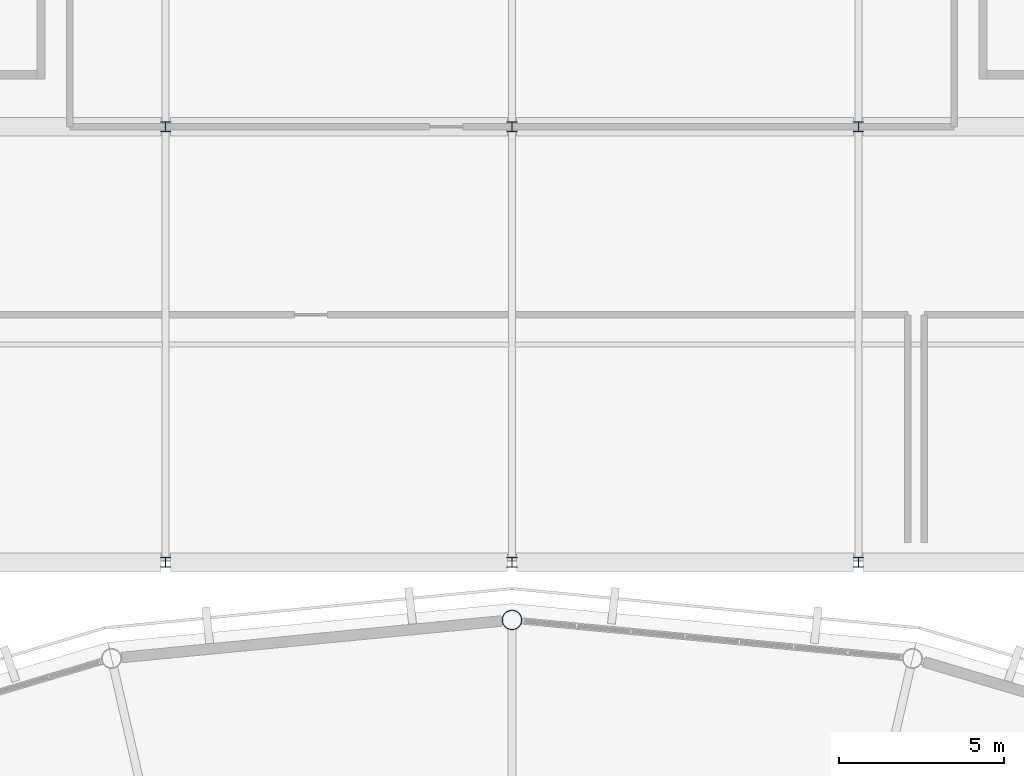
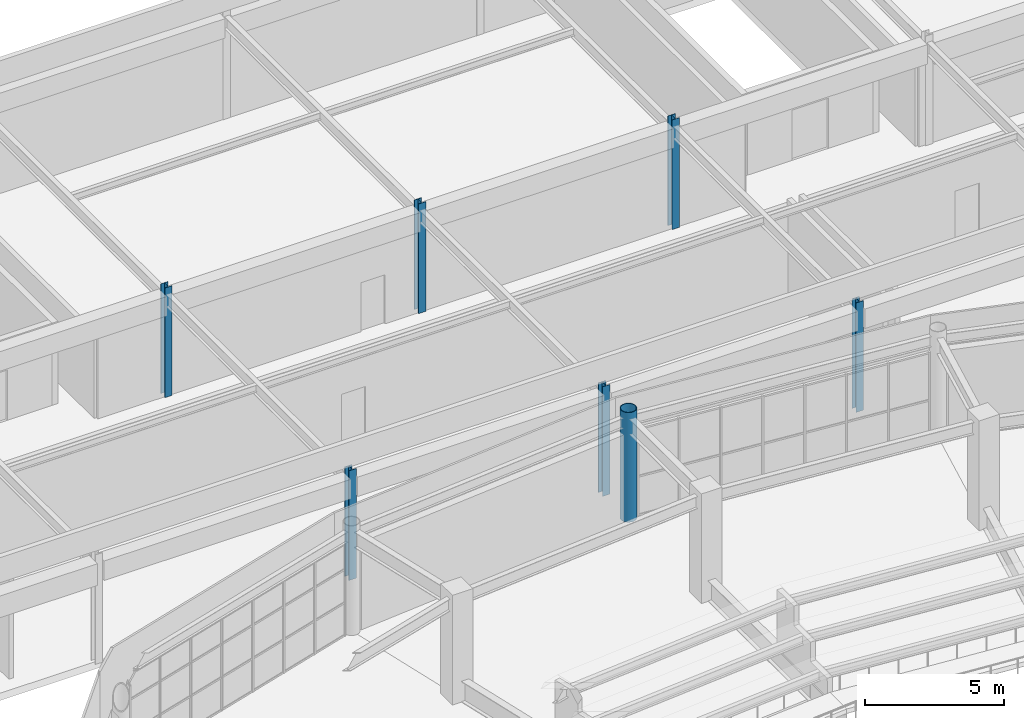
# One storey, part 11 of 122: 7 columns.
"""IFC4 building model written with IfcOpenShell, lengths in metres."""

from ifc_helpers import new_model, si_unit, direction, frame, origin, origin_2d, place, context, subcontext, project, spatial, hollow_circle, i_section, extrude, material, material_profile, profile_set, type_object, element, save


model = new_model("IFC4")

# Units and contexts
model_context = context("Model", 3, precision=1e-05, world=origin(), true_north=direction((0.0, 1.0)))
body_context = subcontext(model_context, "Body", "Model", "MODEL_VIEW")
ifc_project = project(units=[si_unit("LENGTHUNIT", "METRE"), si_unit("AREAUNIT", "SQUARE_METRE"), si_unit("VOLUMEUNIT", "CUBIC_METRE"), si_unit("PLANEANGLEUNIT", "RADIAN"), si_unit("MASSUNIT", "GRAM", prefix="KILO")], contexts=[model_context])

# Site, building, storey
site_placement = place(None, origin())
site = spatial("IfcSite", under=ifc_project, at=site_placement, CompositionType="ELEMENT")
building_placement = place(site_placement, origin())
building = spatial("IfcBuilding", under=site, at=building_placement, Name="Cuetzalor Civic Arena", CompositionType="ELEMENT")
storey_placement = place(building_placement, frame((0.0, 0.0, 16.199951171875)))
storey = spatial("IfcBuildingStorey", under=building, at=storey_placement, Name="L03", CompositionType="ELEMENT", Elevation=16.199951171875)

# Columns
ifc_material_1 = material(Name="Steel S355", Category="steel")
ifc_material_profile_1 = material_profile(ifc_material_1, hollow_circle(Radius=0.304931640625, WallThickness=0.02490234375, at=origin_2d()), Name="CHS 610x25")
ifc_profile_set_1 = profile_set([ifc_material_profile_1], Name="Steel S355")
column_type_1 = type_object("IfcColumnType", Name="SteelDomePylon_CHS610", PredefinedType="COLUMN", material=ifc_profile_set_1)
column_placement = place(storey_placement, frame((0.0, 46.550048828125, 0.0), z_axis=(0.0, 0.0, 1.0), x_axis=(1.0, 0.0, 0.0)))
element("IfcColumn", 1, at=column_placement, inside=storey, type_object=column_type_1, Name="Column V1-PYL-08 L03", PredefinedType="COLUMN", context=body_context, shape_type="SweptSolid", body=[
    extrude(hollow_circle(Radius=0.304931640625, WallThickness=0.02490234375, at=origin_2d()), origin(), (0.0, 0.0, 1.0), 4.800048828125),
])
ifc_material_2 = material(Name="Steel S355", Category="steel")
ifc_material_profile_2 = material_profile(ifc_material_2, i_section(OverallWidth=0.304931640625, OverallDepth=0.30810546875, WebThickness=0.010009765625, FlangeThickness=0.015380859375, at=origin_2d()), Name="W310x97")
ifc_profile_set_2 = profile_set([ifc_material_profile_2], Name="Steel S355")
column_type_2 = type_object("IfcColumnType", Name="SteelGalleryColumn_W310", PredefinedType="COLUMN", material=ifc_profile_set_2)
for number, where, z_axis, x_axis, name in (
    (2, (-10.5, 48.300048828125, 0.0), (0.0, 0.0, 1.0), (1.0, 0.0, 0.0), "Column V5-C-07-02 L03"),
    (3, (-10.5, 61.5, 0.0), (0.0, 0.0, 1.0), (1.0, 0.0, 0.0), "Column V5-C-07-04 L03"),
    (4, (0.0, 48.300048828125, 0.0), (0.0, 0.0, 1.0), (1.0, 0.0, 0.0), "Column V5-C-08-02 L03"),
    (5, (0.0, 61.5, 0.0), (0.0, 0.0, 1.0), (1.0, 0.0, 0.0), "Column V5-C-08-04 L03"),
    (6, (10.5, 48.300048828125, 0.0), (0.0, 0.0, 1.0), (1.0, 0.0, 0.0), "Column V5-C-09-02 L03"),
    (7, (10.5, 61.5, 0.0), (0.0, 0.0, 1.0), (1.0, 0.0, 0.0), "Column V5-C-09-04 L03"),
):
    element("IfcColumn", number, at=place(storey_placement, frame(where, z_axis=z_axis, x_axis=x_axis)), inside=storey, type_object=column_type_2, Name=name, PredefinedType="COLUMN", context=body_context, shape_type="SweptSolid", body=[
        extrude(i_section(OverallWidth=0.304931640625, OverallDepth=0.30810546875, WebThickness=0.010009765625, FlangeThickness=0.015380859375, at=origin_2d()), origin(), (0.0, 0.0, 1.0), 4.800048828125),
    ])

save(model, "model.ifc")
